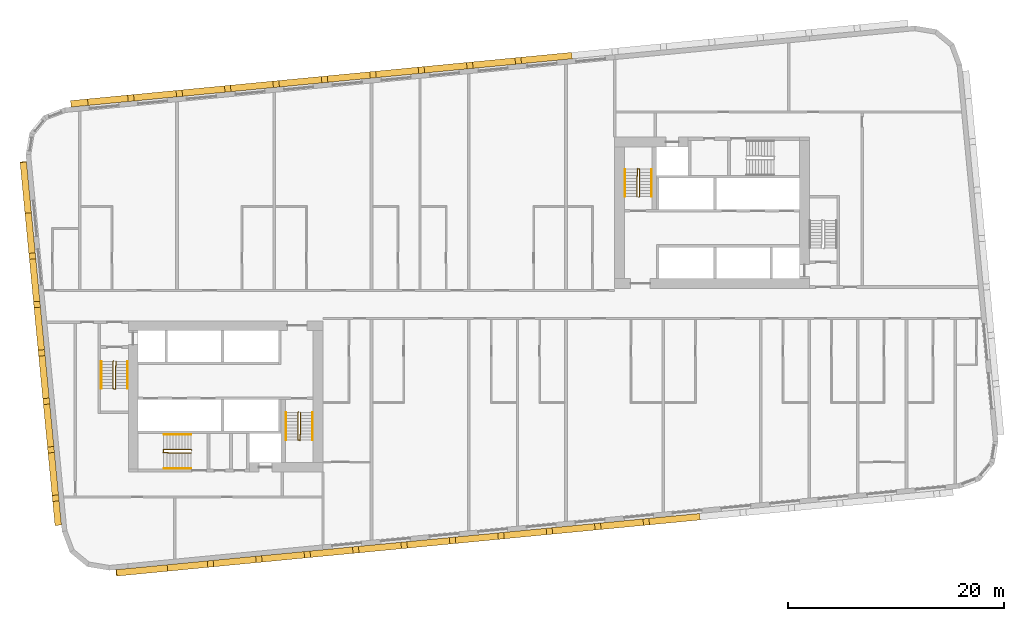
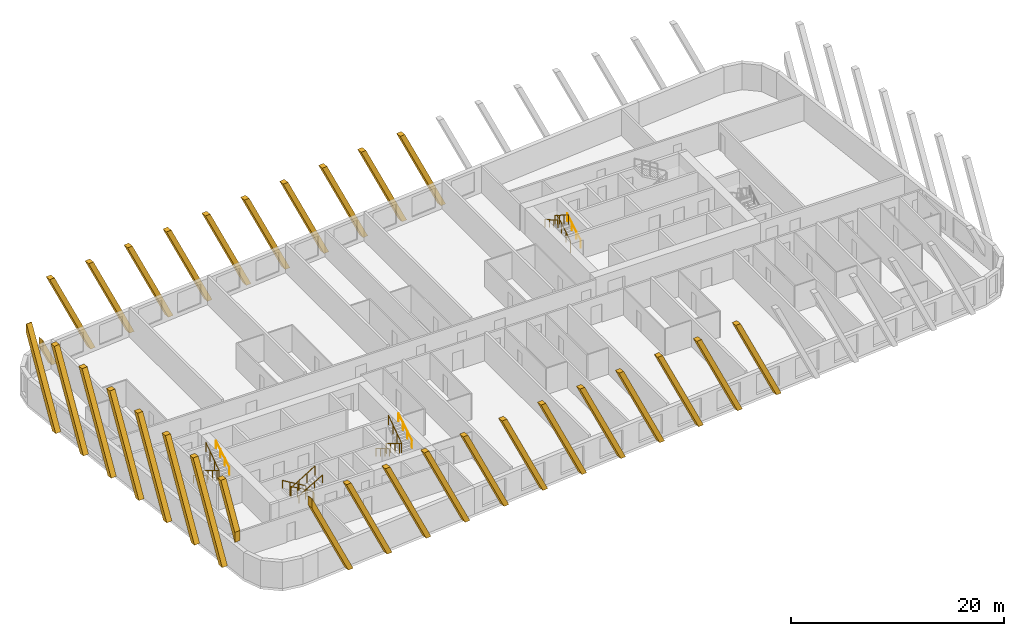
# One storey, part 12 of 13: 31 coverings, 12 railings.
"""IFC4 building model written with IfcOpenShell, lengths in metres."""

from ifc_helpers import new_model, si_unit, direction, frame, origin, origin_2d, place, context, subcontext, project, spatial, polyline, rectangle, circle, outline, extrude, material, material_profile, profile_set, type_object, element, save


model = new_model("IFC4")

# Units and contexts
model_context = context("Model", 3, precision=1e-05, world=origin(), true_north=direction((0.0, 1.0)))
body_context = subcontext(model_context, "Body", "Model", "MODEL_VIEW")
ifc_project = project(units=[si_unit("LENGTHUNIT", "METRE"), si_unit("AREAUNIT", "SQUARE_METRE"), si_unit("VOLUMEUNIT", "CUBIC_METRE"), si_unit("PLANEANGLEUNIT", "RADIAN"), si_unit("MASSUNIT", "GRAM", prefix="KILO")], contexts=[model_context])

# Site, building, storey
site_placement = place(None, origin())
site = spatial("IfcSite", under=ifc_project, at=site_placement, CompositionType="ELEMENT")
building_placement = place(site_placement, origin())
building = spatial("IfcBuilding", under=site, at=building_placement, Name="Kajstack Hotel Tower", CompositionType="ELEMENT")
storey_placement = place(building_placement, frame((0.0, 0.0, 130.60009765625)))
storey = spatial("IfcBuildingStorey", under=building, at=storey_placement, Name="L29", CompositionType="ELEMENT", Elevation=130.60009765625)

# Coverings
ifc_material_1 = material(Name="Terracotta", Category="masonry")
ifc_material_profile = material_profile(ifc_material_1, rectangle(XDim=0.60009765625, YDim=0.5, at=origin_2d()), Name="Terracotta-clad concrete baguette 500 x 600")
ifc_profile_set = profile_set([ifc_material_profile], Name="Terracotta")
covering_type = type_object("IfcCoveringType", Name="BAGUETTE 500x600", PredefinedType="CLADDING", material=ifc_profile_set)
covering_1_placement = place(storey_placement, frame((-40.91943359375, 13.2529296875, 0.0), z_axis=(-0.995381412265, -0.095999188106, 0.0), x_axis=(0.095999188106, -0.995381412265, 0.0)))
element("IfcCovering", 1, at=covering_1_placement, inside=storey, type_object=covering_type, Name="Baguette L29-00-002", PredefinedType="CLADDING", context=body_context, shape_type="SweptSolid", body=[
    extrude(outline(polyline([(0.054931640625, 9.89990234375), (0.0, 9.89990234375), (0.0, 8.853759765625), (4.222900390625, 0.0), (4.777099609375, 0.0), (0.054931640625, 9.89990234375)])), origin(), (0.0, 0.0, 1.0), 0.60009765625),
])
for number, where, z_axis, x_axis, name in (
    (2, (-40.5361328125, 9.270263671875, 0.0), (-0.995416482233, -0.095634862357, 0.0), (0.095634862357, -0.995416482233, 0.0), "Baguette L29-00-006"),
    (3, (-40.104736328125, 4.791015625, 0.0), (-0.995416482233, -0.095634862357, 0.0), (0.095634862357, -0.995416482233, 0.0), "Baguette L29-00-010"),
):
    element("IfcCovering", number, at=place(storey_placement, frame(where, z_axis=z_axis, x_axis=x_axis)), inside=storey, type_object=covering_type, Name=name, PredefinedType="CLADDING", context=body_context, shape_type="SweptSolid", body=[
        extrude(outline(polyline([(0.0, 9.89990234375), (4.72216796875, 0.0), (5.276123046875, 0.0), (0.553955078125, 9.89990234375), (0.0, 9.89990234375)])), origin(), (0.0, 0.0, 1.0), 0.599853515625),
    ])
covering_2_placement = place(storey_placement, frame((-39.67333984375, 0.311767578125, 0.0), z_axis=(-0.995381412265, -0.095999188106, 0.0), x_axis=(0.095999188106, -0.995381412265, 0.0)))
element("IfcCovering", 4, at=covering_2_placement, inside=storey, type_object=covering_type, Name="Baguette L29-00-014", PredefinedType="CLADDING", context=body_context, shape_type="SweptSolid", body=[
    extrude(outline(polyline([(0.0, 9.89990234375), (4.72216796875, 0.0), (5.276123046875, 0.0), (0.553955078125, 9.89990234375), (0.0, 9.89990234375)])), origin(), (0.0, 0.0, 1.0), 0.60009765625),
])
for number, where, z_axis, x_axis, name in (
    (5, (-39.2421875, -4.16748046875, 0.0), (-0.995377661201, -0.096038073607, 0.0), (0.096038073607, -0.995377661201, 0.0), "Baguette L29-00-018"),
    (6, (-38.810791015625, -8.646728515625, 0.0), (-0.995377661201, -0.096038073607, 0.0), (0.096038073607, -0.995377661201, 0.0), "Baguette L29-00-022"),
):
    element("IfcCovering", number, at=place(storey_placement, frame(where, z_axis=z_axis, x_axis=x_axis)), inside=storey, type_object=covering_type, Name=name, PredefinedType="CLADDING", context=body_context, shape_type="SweptSolid", body=[
        extrude(outline(polyline([(0.0, 9.89990234375), (4.72216796875, 0.0), (5.276123046875, 0.0), (0.553955078125, 9.89990234375), (0.0, 9.89990234375)])), origin(), (0.0, 0.0, 1.0), 0.599853515625),
    ])
covering_3_placement = place(storey_placement, frame((-38.37939453125, -13.126220703125, 0.0), z_axis=(-0.995420202011, -0.095596137095, 0.0), x_axis=(0.095596137095, -0.995420202011, 0.0)))
element("IfcCovering", 7, at=covering_3_placement, inside=storey, type_object=covering_type, Name="Baguette L29-00-026", PredefinedType="CLADDING", context=body_context, shape_type="SweptSolid", body=[
    extrude(outline(polyline([(0.0, 9.89990234375), (4.72216796875, 0.0), (5.276123046875, 0.0), (0.553955078125, 9.89990234375), (0.0, 9.89990234375)])), origin(), (0.0, 0.0, 1.0), 0.60009765625),
])
covering_4_placement = place(storey_placement, frame((-37.9482421875, -17.60546875, 0.0), z_axis=(-0.995416482233, -0.095634862357, 0.0), x_axis=(0.095634862357, -0.995416482233, 0.0)))
element("IfcCovering", 8, at=covering_4_placement, inside=storey, type_object=covering_type, Name="Baguette L29-00-030", PredefinedType="CLADDING", context=body_context, shape_type="SweptSolid", body=[
    extrude(outline(polyline([(0.0, 9.89990234375), (2.798828125, 4.031982421875), (2.798828125, 5.193359375), (0.553955078125, 9.89990234375), (0.0, 9.89990234375)])), origin(), (0.0, 0.0, 1.0), 0.599853515625),
])
covering_5_placement = place(storey_placement, frame((-32.66015625, -24.529296875, 0.0), z_axis=(0.095596137095, -0.995420202011, 0.0), x_axis=(0.995420202011, 0.095596137095, 0.0)))
element("IfcCovering", 9, at=covering_5_placement, inside=storey, type_object=covering_type, Name="Baguette L29-04-002", PredefinedType="CLADDING", context=body_context, shape_type="SweptSolid", body=[
    extrude(outline(polyline([(0.054931640625, 9.89990234375), (0.0, 9.89990234375), (0.0, 8.853759765625), (4.222900390625, 0.0), (4.777099609375, 0.0), (0.054931640625, 9.89990234375)])), origin(), (0.0, 0.0, 1.0), 0.60009765625),
])
for number, where, z_axis, x_axis, name in (
    (10, (-28.677734375, -24.14599609375, 0.0), (0.096038073607, -0.995377661201, 0.0), (0.995377661201, 0.096038073607, 0.0), "Baguette L29-04-006"),
    (11, (-24.198486328125, -23.714599609375, 0.0), (0.096038073607, -0.995377661201, 0.0), (0.995377661201, 0.096038073607, 0.0), "Baguette L29-04-010"),
):
    element("IfcCovering", number, at=place(storey_placement, frame(where, z_axis=z_axis, x_axis=x_axis)), inside=storey, type_object=covering_type, Name=name, PredefinedType="CLADDING", context=body_context, shape_type="SweptSolid", body=[
        extrude(outline(polyline([(0.0, 9.89990234375), (4.72216796875, 0.0), (5.276123046875, 0.0), (0.553955078125, 9.89990234375), (0.0, 9.89990234375)])), origin(), (0.0, 0.0, 1.0), 0.599853515625),
    ])
covering_6_placement = place(storey_placement, frame((-19.71923828125, -23.283203125, 0.0), z_axis=(0.095999188106, -0.995381412265, 0.0), x_axis=(0.995381412265, 0.095999188106, 0.0)))
element("IfcCovering", 12, at=covering_6_placement, inside=storey, type_object=covering_type, Name="Baguette L29-04-014", PredefinedType="CLADDING", context=body_context, shape_type="SweptSolid", body=[
    extrude(outline(polyline([(0.0, 9.89990234375), (4.72216796875, 0.0), (5.276123046875, 0.0), (0.553955078125, 9.89990234375), (0.0, 9.89990234375)])), origin(), (0.0, 0.0, 1.0), 0.60009765625),
])
for number, where, z_axis, x_axis, name in (
    (13, (-15.239990234375, -22.85205078125, 0.0), (0.096038073607, -0.995377661201, 0.0), (0.995377661201, 0.096038073607, 0.0), "Baguette L29-04-018"),
    (14, (-10.760498046875, -22.420654296875, 0.0), (0.095634862357, -0.995416482233, 0.0), (0.995416482233, 0.095634862357, 0.0), "Baguette L29-04-022"),
    (15, (-6.28125, -21.989501953125, 0.0), (0.095634862357, -0.995416482233, 0.0), (0.995416482233, 0.095634862357, 0.0), "Baguette L29-04-026"),
    (16, (-1.802001953125, -21.55810546875, 0.0), (0.095634862357, -0.995416482233, 0.0), (0.995416482233, 0.095634862357, 0.0), "Baguette L29-04-030"),
):
    element("IfcCovering", number, at=place(storey_placement, frame(where, z_axis=z_axis, x_axis=x_axis)), inside=storey, type_object=covering_type, Name=name, PredefinedType="CLADDING", context=body_context, shape_type="SweptSolid", body=[
        extrude(outline(polyline([(0.0, 9.89990234375), (4.72216796875, 0.0), (5.276123046875, 0.0), (0.553955078125, 9.89990234375), (0.0, 9.89990234375)])), origin(), (0.0, 0.0, 1.0), 0.599853515625),
    ])
covering_7_placement = place(storey_placement, frame((2.67724609375, -21.126708984375, 0.0), z_axis=(0.095999188106, -0.995381412265, 0.0), x_axis=(0.995381412265, 0.095999188106, 0.0)))
element("IfcCovering", 17, at=covering_7_placement, inside=storey, type_object=covering_type, Name="Baguette L29-04-034", PredefinedType="CLADDING", context=body_context, shape_type="SweptSolid", body=[
    extrude(outline(polyline([(0.0, 9.89990234375), (4.72216796875, 0.0), (5.276123046875, 0.0), (0.553955078125, 9.89990234375), (0.0, 9.89990234375)])), origin(), (0.0, 0.0, 1.0), 0.60009765625),
])
for number, where, z_axis, x_axis, name in (
    (18, (7.156494140625, -20.695556640625, 0.0), (0.096038073607, -0.995377661201, 0.0), (0.995377661201, 0.096038073607, 0.0), "Baguette L29-04-038"),
    (19, (11.6357421875, -20.26416015625, 0.0), (0.096038073607, -0.995377661201, 0.0), (0.995377661201, 0.096038073607, 0.0), "Baguette L29-04-042"),
):
    element("IfcCovering", number, at=place(storey_placement, frame(where, z_axis=z_axis, x_axis=x_axis)), inside=storey, type_object=covering_type, Name=name, PredefinedType="CLADDING", context=body_context, shape_type="SweptSolid", body=[
        extrude(outline(polyline([(0.0, 9.89990234375), (4.72216796875, 0.0), (5.276123046875, 0.0), (0.553955078125, 9.89990234375), (0.0, 9.89990234375)])), origin(), (0.0, 0.0, 1.0), 0.599853515625),
    ])
covering_8_placement = place(storey_placement, frame((16.114990234375, -19.832763671875, 0.0), z_axis=(0.095999188106, -0.995381412265, 0.0), x_axis=(0.995381412265, 0.095999188106, 0.0)))
element("IfcCovering", 20, at=covering_8_placement, inside=storey, type_object=covering_type, Name="Baguette L29-04-046", PredefinedType="CLADDING", context=body_context, shape_type="SweptSolid", body=[
    extrude(outline(polyline([(0.0, 9.89990234375), (4.72216796875, 0.0), (5.276123046875, 0.0), (0.553955078125, 9.89990234375), (0.0, 9.89990234375)])), origin(), (0.0, 0.0, 1.0), 0.60009765625),
])
covering_9_placement = place(storey_placement, frame((9.5810546875, 22.73681640625, 0.0), z_axis=(-0.096038073607, 0.995377661201, 0.0), x_axis=(-0.995377661201, -0.096038073607, 0.0)))
element("IfcCovering", 21, at=covering_9_placement, inside=storey, type_object=covering_type, Name="Baguette L29-12-030", PredefinedType="CLADDING", context=body_context, shape_type="SweptSolid", body=[
    extrude(outline(polyline([(4.72216796875, 9.89990234375), (0.0, 0.0), (0.553955078125, 0.0), (5.276123046875, 9.89990234375), (4.72216796875, 9.89990234375)])), origin(), (0.0, 0.0, 1.0), 0.599853515625),
])
covering_10_placement = place(storey_placement, frame((5.101806640625, 22.305419921875, 0.0), z_axis=(-0.095999188106, 0.995381412265, 0.0), x_axis=(-0.995381412265, -0.095999188106, 0.0)))
element("IfcCovering", 22, at=covering_10_placement, inside=storey, type_object=covering_type, Name="Baguette L29-12-034", PredefinedType="CLADDING", context=body_context, shape_type="SweptSolid", body=[
    extrude(outline(polyline([(4.72216796875, 9.89990234375), (0.0, 0.0), (0.553955078125, 0.0), (5.276123046875, 9.89990234375), (4.72216796875, 9.89990234375)])), origin(), (0.0, 0.0, 1.0), 0.60009765625),
])
for number, where, z_axis, x_axis, name in (
    (23, (0.622314453125, 21.874267578125, 0.0), (-0.095634862357, 0.995416482233, 0.0), (-0.995416482233, -0.095634862357, 0.0), "Baguette L29-12-038"),
    (24, (-3.85693359375, 21.44287109375, 0.0), (-0.095634862357, 0.995416482233, 0.0), (-0.995416482233, -0.095634862357, 0.0), "Baguette L29-12-042"),
):
    element("IfcCovering", number, at=place(storey_placement, frame(where, z_axis=z_axis, x_axis=x_axis)), inside=storey, type_object=covering_type, Name=name, PredefinedType="CLADDING", context=body_context, shape_type="SweptSolid", body=[
        extrude(outline(polyline([(4.72216796875, 9.89990234375), (0.0, 0.0), (0.553955078125, 0.0), (5.276123046875, 9.89990234375), (4.72216796875, 9.89990234375)])), origin(), (0.0, 0.0, 1.0), 0.599853515625),
    ])
covering_11_placement = place(storey_placement, frame((-8.336181640625, 21.011474609375, 0.0), z_axis=(-0.095596137095, 0.995420202011, 0.0), x_axis=(-0.995420202011, -0.095596137095, 0.0)))
element("IfcCovering", 25, at=covering_11_placement, inside=storey, type_object=covering_type, Name="Baguette L29-12-046", PredefinedType="CLADDING", context=body_context, shape_type="SweptSolid", body=[
    extrude(outline(polyline([(4.72216796875, 9.89990234375), (0.0, 0.0), (0.553955078125, 0.0), (5.276123046875, 9.89990234375), (4.72216796875, 9.89990234375)])), origin(), (0.0, 0.0, 1.0), 0.60009765625),
])
for number, where, z_axis, x_axis, name in (
    (26, (-12.8154296875, 20.580322265625, 0.0), (-0.096038073607, 0.995377661201, 0.0), (-0.995377661201, -0.096038073607, 0.0), "Baguette L29-12-050"),
    (27, (-17.294677734375, 20.14892578125, 0.0), (-0.096038073607, 0.995377661201, 0.0), (-0.995377661201, -0.096038073607, 0.0), "Baguette L29-12-054"),
    (28, (-21.77392578125, 19.7177734375, 0.0), (-0.096038073607, 0.995377661201, 0.0), (-0.995377661201, -0.096038073607, 0.0), "Baguette L29-12-058"),
    (29, (-26.253173828125, 19.286376953125, 0.0), (-0.096038073607, 0.995377661201, 0.0), (-0.995377661201, -0.096038073607, 0.0), "Baguette L29-12-062"),
):
    element("IfcCovering", number, at=place(storey_placement, frame(where, z_axis=z_axis, x_axis=x_axis)), inside=storey, type_object=covering_type, Name=name, PredefinedType="CLADDING", context=body_context, shape_type="SweptSolid", body=[
        extrude(outline(polyline([(4.72216796875, 9.89990234375), (0.0, 0.0), (0.553955078125, 0.0), (5.276123046875, 9.89990234375), (4.72216796875, 9.89990234375)])), origin(), (0.0, 0.0, 1.0), 0.599853515625),
    ])
covering_12_placement = place(storey_placement, frame((-30.732666015625, 18.85498046875, 0.0), z_axis=(-0.095596137095, 0.995420202011, 0.0), x_axis=(-0.995420202011, -0.095596137095, 0.0)))
element("IfcCovering", 30, at=covering_12_placement, inside=storey, type_object=covering_type, Name="Baguette L29-12-066", PredefinedType="CLADDING", context=body_context, shape_type="SweptSolid", body=[
    extrude(outline(polyline([(4.72216796875, 9.89990234375), (0.0, 0.0), (0.553955078125, 0.0), (5.276123046875, 9.89990234375), (4.72216796875, 9.89990234375)])), origin(), (0.0, 0.0, 1.0), 0.60009765625),
])
covering_13_placement = place(storey_placement, frame((-35.2119140625, 18.423828125, 0.0), z_axis=(-0.095634862357, 0.995416482233, 0.0), x_axis=(-0.995416482233, -0.095634862357, 0.0)))
element("IfcCovering", 31, at=covering_13_placement, inside=storey, type_object=covering_type, Name="Baguette L29-12-070", PredefinedType="CLADDING", context=body_context, shape_type="SweptSolid", body=[
    extrude(outline(polyline([(0.553955078125, 0.0), (1.576904296875, 2.144775390625), (1.576904296875, 3.30615234375), (0.0, 0.0), (0.553955078125, 0.0)])), origin(), (0.0, 0.0, 1.0), 0.599853515625),
])

# Railings
ifc_material_2 = material(Name="Steel S355J2", Category="steel")
railing_type_1 = type_object("IfcRailingType", Name="Stair guard 1100", PredefinedType="GUARDRAIL", material=ifc_material_2)
railing_1_placement = place(storey_placement, frame((-32.85009765625, -5.199951171875, 0.0)))
element("IfcRailing", 32, at=railing_1_placement, inside=storey, type_object=railing_type_1, Name="L29 W1 stair guard 1", PredefinedType="GUARDRAIL", context=body_context, shape_type="SweptSolid", body=[
    extrude(circle(Radius=0.02392578125, at=origin_2d()), frame((0.0, 0.0, 1.076171875), z_axis=(-0.277797701265, -0.279159454702, 0.919183570361), x_axis=(0.708833529934, -0.705375805398, 0.0)), (0.0, 0.0, 1.0), 0.17919921875),
    extrude(circle(Radius=0.02392578125, at=origin_2d()), frame((-0.0498046875, -0.050048828125, 1.24072265625), z_axis=(0.0, -0.86152411907, 0.507716645641), x_axis=(1.0, 0.0, 0.0)), (0.0, 0.0, 1.0), 2.925048828125),
    extrude(circle(Radius=0.02392578125, at=origin_2d()), frame((-0.0498046875, -2.570068359375, 2.72607421875), z_axis=(0.970072785993, -0.242814311512, 0.0), x_axis=(0.242814311512, 0.970072785993, 0.0)), (0.0, 0.0, 1.0), 0.2060546875),
    extrude(circle(Radius=0.02392578125, at=origin_2d()), frame((0.150146484375, -2.6201171875, 2.72607421875), z_axis=(0.016385308676, 0.841405582595, 0.540155687962), x_axis=(-0.999810440751, 0.019470042781, 0.0)), (0.0, 0.0, 1.0), 3.054443359375),
    extrude(circle(Radius=0.02099609375, at=origin_2d()), origin(), (0.0, 0.0, 1.0), 1.052001953125),
    extrude(circle(Radius=0.02099609375, at=origin_2d()), frame((-0.0498046875, -0.050048828125, 0.164794921875)), (0.0, 0.0, 1.0), 1.052001953125),
    extrude(circle(Radius=0.02099609375, at=origin_2d()), frame((-0.0498046875, -0.89013671875, 0.659912109375)), (0.0, 0.0, 1.0), 1.052001953125),
    extrude(circle(Radius=0.02099609375, at=origin_2d()), frame((-0.0498046875, -1.72998046875, 1.15478515625)), (0.0, 0.0, 1.0), 1.052001953125),
    extrude(circle(Radius=0.02099609375, at=origin_2d()), frame((-0.0498046875, -2.570068359375, 1.64990234375)), (0.0, 0.0, 1.0), 1.052001953125),
    extrude(circle(Radius=0.02099609375, at=origin_2d()), frame((0.150146484375, -2.6201171875, 1.64990234375)), (0.0, 0.0, 1.0), 1.052001953125),
    extrude(circle(Radius=0.02099609375, at=origin_2d()), frame((0.166748046875, -1.763427734375, 2.199951171875)), (0.0, 0.0, 1.0), 1.052001953125),
    extrude(circle(Radius=0.02099609375, at=origin_2d()), frame((0.18359375, -0.90673828125, 2.749755859375)), (0.0, 0.0, 1.0), 1.052001953125),
    extrude(circle(Radius=0.02099609375, at=origin_2d()), frame((0.2001953125, -0.050048828125, 3.2998046875)), (0.0, 0.0, 1.0), 1.052001953125),
])
railing_2_placement = place(storey_placement, frame((-15.75, -9.949951171875, 0.0)))
element("IfcRailing", 33, at=railing_2_placement, inside=storey, type_object=railing_type_1, Name="L29 W2 stair guard 1", PredefinedType="GUARDRAIL", context=body_context, shape_type="SweptSolid", body=[
    extrude(circle(Radius=0.02392578125, at=origin_2d()), frame((0.0, 0.0, 1.076171875), z_axis=(-0.279053652268, -0.279053652268, 0.918835196492), x_axis=(0.707106781187, -0.707106781187, 0.0)), (0.0, 0.0, 1.0), 0.179443359375),
    extrude(circle(Radius=0.02392578125, at=origin_2d()), frame((-0.050048828125, -0.050048828125, 1.24072265625), z_axis=(0.0, -0.86152411907, 0.507716645641), x_axis=(1.0, 0.0, 0.0)), (0.0, 0.0, 1.0), 2.925048828125),
    extrude(circle(Radius=0.02392578125, at=origin_2d()), frame((-0.050048828125, -2.570068359375, 2.72607421875), z_axis=(0.970072785993, -0.242814311512, 0.0), x_axis=(0.242814311512, 0.970072785993, 0.0)), (0.0, 0.0, 1.0), 0.2060546875),
    extrude(circle(Radius=0.02392578125, at=origin_2d()), frame((0.14990234375, -2.6201171875, 2.72607421875), z_axis=(0.016385308676, 0.841405582595, 0.540155687962), x_axis=(-0.999810440751, 0.019470042781, 0.0)), (0.0, 0.0, 1.0), 3.054443359375),
    extrude(circle(Radius=0.02099609375, at=origin_2d()), origin(), (0.0, 0.0, 1.0), 1.052001953125),
    extrude(circle(Radius=0.02099609375, at=origin_2d()), frame((-0.050048828125, -0.050048828125, 0.164794921875)), (0.0, 0.0, 1.0), 1.052001953125),
    extrude(circle(Radius=0.02099609375, at=origin_2d()), frame((-0.050048828125, -0.89013671875, 0.659912109375)), (0.0, 0.0, 1.0), 1.052001953125),
    extrude(circle(Radius=0.02099609375, at=origin_2d()), frame((-0.050048828125, -1.72998046875, 1.15478515625)), (0.0, 0.0, 1.0), 1.052001953125),
    extrude(circle(Radius=0.02099609375, at=origin_2d()), frame((-0.050048828125, -2.570068359375, 1.64990234375)), (0.0, 0.0, 1.0), 1.052001953125),
    extrude(circle(Radius=0.02099609375, at=origin_2d()), frame((0.14990234375, -2.6201171875, 1.64990234375)), (0.0, 0.0, 1.0), 1.052001953125),
    extrude(circle(Radius=0.02099609375, at=origin_2d()), frame((0.16650390625, -1.763427734375, 2.199951171875)), (0.0, 0.0, 1.0), 1.052001953125),
    extrude(circle(Radius=0.02099609375, at=origin_2d()), frame((0.183349609375, -0.90673828125, 2.749755859375)), (0.0, 0.0, 1.0), 1.052001953125),
    extrude(circle(Radius=0.02099609375, at=origin_2d()), frame((0.199951171875, -0.050048828125, 3.2998046875)), (0.0, 0.0, 1.0), 1.052001953125),
])
railing_3_placement = place(storey_placement, frame((-25.64990234375, -13.449951171875, 0.0)))
element("IfcRailing", 34, at=railing_3_placement, inside=storey, type_object=railing_type_1, Name="L29 W3 stair guard 1", PredefinedType="GUARDRAIL", context=body_context, shape_type="SweptSolid", body=[
    extrude(circle(Radius=0.02392578125, at=origin_2d()), frame((0.0, 0.0, 1.076171875), z_axis=(-0.279053652268, 0.279053652268, 0.918835196492), x_axis=(-0.707106781187, -0.707106781187, 0.0)), (0.0, 0.0, 1.0), 0.179443359375),
    extrude(circle(Radius=0.02392578125, at=origin_2d()), frame((-0.050048828125, 0.050048828125, 1.24072265625), z_axis=(-0.86152411907, 0.0, 0.507716645641), x_axis=(0.0, -1.0, 0.0)), (0.0, 0.0, 1.0), 2.925048828125),
    extrude(circle(Radius=0.02392578125, at=origin_2d()), frame((-2.570068359375, 0.050048828125, 2.72607421875), z_axis=(-0.164529134168, -0.986372223864, 0.0), x_axis=(0.986372223864, -0.164529134168, 0.0)), (0.0, 0.0, 1.0), 0.30419921875),
    extrude(circle(Radius=0.02392578125, at=origin_2d()), frame((-2.6201171875, -0.25, 2.72607421875), z_axis=(0.841405582595, -0.016385308676, 0.540155687962), x_axis=(0.019470042781, 0.999810440751, 0.0)), (0.0, 0.0, 1.0), 3.054443359375),
    extrude(circle(Radius=0.02099609375, at=origin_2d()), origin(), (0.0, 0.0, 1.0), 1.052001953125),
    extrude(circle(Radius=0.02099609375, at=origin_2d()), frame((-0.050048828125, 0.050048828125, 0.164794921875)), (0.0, 0.0, 1.0), 1.052001953125),
    extrude(circle(Radius=0.02099609375, at=origin_2d()), frame((-0.89013671875, 0.050048828125, 0.659912109375)), (0.0, 0.0, 1.0), 1.052001953125),
    extrude(circle(Radius=0.02099609375, at=origin_2d()), frame((-1.72998046875, 0.050048828125, 1.15478515625)), (0.0, 0.0, 1.0), 1.052001953125),
    extrude(circle(Radius=0.02099609375, at=origin_2d()), frame((-2.570068359375, 0.050048828125, 1.64990234375)), (0.0, 0.0, 1.0), 1.052001953125),
    extrude(circle(Radius=0.02099609375, at=origin_2d()), frame((-2.6201171875, -0.25, 1.64990234375)), (0.0, 0.0, 1.0), 1.052001953125),
    extrude(circle(Radius=0.02099609375, at=origin_2d()), frame((-1.763427734375, -0.2666015625, 2.199951171875)), (0.0, 0.0, 1.0), 1.052001953125),
    extrude(circle(Radius=0.02099609375, at=origin_2d()), frame((-0.90673828125, -0.283447265625, 2.749755859375)), (0.0, 0.0, 1.0), 1.052001953125),
    extrude(circle(Radius=0.02099609375, at=origin_2d()), frame((-0.050048828125, -0.300048828125, 3.2998046875)), (0.0, 0.0, 1.0), 1.052001953125),
])
railing_4_placement = place(storey_placement, frame((15.75, 9.949951171875, 0.0)))
element("IfcRailing", 35, at=railing_4_placement, inside=storey, type_object=railing_type_1, Name="L29 E2 stair guard 1", PredefinedType="GUARDRAIL", context=body_context, shape_type="SweptSolid", body=[
    extrude(circle(Radius=0.02392578125, at=origin_2d()), frame((0.0, 0.0, 1.076171875), z_axis=(0.279053652268, 0.279053652268, 0.918835196492), x_axis=(-0.707106781187, 0.707106781187, 0.0)), (0.0, 0.0, 1.0), 0.179443359375),
    extrude(circle(Radius=0.02392578125, at=origin_2d()), frame((0.050048828125, 0.050048828125, 1.24072265625), z_axis=(0.0, 0.86152411907, 0.507716645641), x_axis=(-1.0, 0.0, 0.0)), (0.0, 0.0, 1.0), 2.925048828125),
    extrude(circle(Radius=0.02392578125, at=origin_2d()), frame((0.050048828125, 2.570068359375, 2.72607421875), z_axis=(-0.970072785993, 0.242814311512, 0.0), x_axis=(-0.242814311512, -0.970072785993, 0.0)), (0.0, 0.0, 1.0), 0.2060546875),
    extrude(circle(Radius=0.02392578125, at=origin_2d()), frame((-0.14990234375, 2.6201171875, 2.72607421875), z_axis=(-0.016385308676, -0.841405582595, 0.540155687962), x_axis=(0.999810440751, -0.019470042781, 0.0)), (0.0, 0.0, 1.0), 3.054443359375),
    extrude(circle(Radius=0.02099609375, at=origin_2d()), origin(), (0.0, 0.0, 1.0), 1.052001953125),
    extrude(circle(Radius=0.02099609375, at=origin_2d()), frame((0.050048828125, 0.050048828125, 0.164794921875)), (0.0, 0.0, 1.0), 1.052001953125),
    extrude(circle(Radius=0.02099609375, at=origin_2d()), frame((0.050048828125, 0.89013671875, 0.659912109375)), (0.0, 0.0, 1.0), 1.052001953125),
    extrude(circle(Radius=0.02099609375, at=origin_2d()), frame((0.050048828125, 1.72998046875, 1.15478515625)), (0.0, 0.0, 1.0), 1.052001953125),
    extrude(circle(Radius=0.02099609375, at=origin_2d()), frame((0.050048828125, 2.570068359375, 1.64990234375)), (0.0, 0.0, 1.0), 1.052001953125),
    extrude(circle(Radius=0.02099609375, at=origin_2d()), frame((-0.14990234375, 2.6201171875, 1.64990234375)), (0.0, 0.0, 1.0), 1.052001953125),
    extrude(circle(Radius=0.02099609375, at=origin_2d()), frame((-0.16650390625, 1.763427734375, 2.199951171875)), (0.0, 0.0, 1.0), 1.052001953125),
    extrude(circle(Radius=0.02099609375, at=origin_2d()), frame((-0.183349609375, 0.90673828125, 2.749755859375)), (0.0, 0.0, 1.0), 1.052001953125),
    extrude(circle(Radius=0.02099609375, at=origin_2d()), frame((-0.199951171875, 0.050048828125, 3.2998046875)), (0.0, 0.0, 1.0), 1.052001953125),
])
railing_type_2 = type_object("IfcRailingType", Name="Stair handrail 900", PredefinedType="HANDRAIL", material=ifc_material_2)
railing_5_placement = place(storey_placement, frame((-34.0, -5.25, 0.164794921875)))
element("IfcRailing", 36, at=railing_5_placement, inside=storey, type_object=railing_type_2, Name="L29 W1 stair handrail 1", PredefinedType="HANDRAIL", context=body_context, shape_type="SweptSolid", body=[
    extrude(circle(Radius=0.02392578125, at=origin_2d()), frame((0.0, 0.0, 0.8759765625), z_axis=(0.0, -0.86152411907, 0.507716645641), x_axis=(1.0, 0.0, 0.0)), (0.0, 0.0, 1.0), 2.925048828125),
    extrude(circle(Radius=0.02099609375, at=origin_2d()), origin(), (0.0, 0.0, 1.0), 0.851806640625),
    extrude(circle(Radius=0.02099609375, at=origin_2d()), frame((0.0, -0.840087890625, 0.4951171875)), (0.0, 0.0, 1.0), 0.851806640625),
    extrude(circle(Radius=0.02099609375, at=origin_2d()), frame((0.0, -1.679931640625, 0.989990234375)), (0.0, 0.0, 1.0), 0.851806640625),
    extrude(circle(Radius=0.02099609375, at=origin_2d()), frame((0.0, -2.52001953125, 1.485107421875)), (0.0, 0.0, 1.0), 0.851806640625),
])
railing_6_placement = place(storey_placement, frame((-31.550048828125, -7.77001953125, 1.81494140625)))
element("IfcRailing", 37, at=railing_6_placement, inside=storey, type_object=railing_type_2, Name="L29 W1 stair handrail 2", PredefinedType="HANDRAIL", context=body_context, shape_type="SweptSolid", body=[
    extrude(circle(Radius=0.02392578125, at=origin_2d()), frame((0.0, 0.0, 0.8759765625), z_axis=(0.0, 0.861560626758, 0.507654692109), x_axis=(-1.0, 0.0, 0.0)), (0.0, 0.0, 1.0), 2.925048828125),
    extrude(circle(Radius=0.02099609375, at=origin_2d()), origin(), (0.0, 0.0, 1.0), 0.851806640625),
    extrude(circle(Radius=0.02099609375, at=origin_2d()), frame((0.0, 0.840087890625, 0.494873046875)), (0.0, 0.0, 1.0), 0.851806640625),
    extrude(circle(Radius=0.02099609375, at=origin_2d()), frame((0.0, 1.679931640625, 0.989990234375)), (0.0, 0.0, 1.0), 0.851806640625),
    extrude(circle(Radius=0.02099609375, at=origin_2d()), frame((0.0, 2.52001953125, 1.48486328125)), (0.0, 0.0, 1.0), 0.851806640625),
])
railing_7_placement = place(storey_placement, frame((-16.89990234375, -10.0, 0.164794921875)))
element("IfcRailing", 38, at=railing_7_placement, inside=storey, type_object=railing_type_2, Name="L29 W2 stair handrail 1", PredefinedType="HANDRAIL", context=body_context, shape_type="SweptSolid", body=[
    extrude(circle(Radius=0.02392578125, at=origin_2d()), frame((0.0, 0.0, 0.8759765625), z_axis=(0.0, -0.86152411907, 0.507716645641), x_axis=(1.0, 0.0, 0.0)), (0.0, 0.0, 1.0), 2.925048828125),
    extrude(circle(Radius=0.02099609375, at=origin_2d()), origin(), (0.0, 0.0, 1.0), 0.851806640625),
    extrude(circle(Radius=0.02099609375, at=origin_2d()), frame((0.0, -0.840087890625, 0.4951171875)), (0.0, 0.0, 1.0), 0.851806640625),
    extrude(circle(Radius=0.02099609375, at=origin_2d()), frame((0.0, -1.679931640625, 0.989990234375)), (0.0, 0.0, 1.0), 0.851806640625),
    extrude(circle(Radius=0.02099609375, at=origin_2d()), frame((0.0, -2.52001953125, 1.485107421875)), (0.0, 0.0, 1.0), 0.851806640625),
])
railing_8_placement = place(storey_placement, frame((-14.449951171875, -12.52001953125, 1.81494140625)))
element("IfcRailing", 39, at=railing_8_placement, inside=storey, type_object=railing_type_2, Name="L29 W2 stair handrail 2", PredefinedType="HANDRAIL", context=body_context, shape_type="SweptSolid", body=[
    extrude(circle(Radius=0.02392578125, at=origin_2d()), frame((0.0, 0.0, 0.8759765625), z_axis=(0.0, 0.861560626758, 0.507654692109), x_axis=(-1.0, 0.0, 0.0)), (0.0, 0.0, 1.0), 2.925048828125),
    extrude(circle(Radius=0.02099609375, at=origin_2d()), origin(), (0.0, 0.0, 1.0), 0.851806640625),
    extrude(circle(Radius=0.02099609375, at=origin_2d()), frame((0.0, 0.840087890625, 0.494873046875)), (0.0, 0.0, 1.0), 0.851806640625),
    extrude(circle(Radius=0.02099609375, at=origin_2d()), frame((0.0, 1.679931640625, 0.989990234375)), (0.0, 0.0, 1.0), 0.851806640625),
    extrude(circle(Radius=0.02099609375, at=origin_2d()), frame((0.0, 2.52001953125, 1.48486328125)), (0.0, 0.0, 1.0), 0.851806640625),
])
railing_9_placement = place(storey_placement, frame((-25.699951171875, -12.0, 0.164794921875)))
element("IfcRailing", 40, at=railing_9_placement, inside=storey, type_object=railing_type_2, Name="L29 W3 stair handrail 1", PredefinedType="HANDRAIL", context=body_context, shape_type="SweptSolid", body=[
    extrude(circle(Radius=0.02392578125, at=origin_2d()), frame((0.0, 0.0, 0.8759765625), z_axis=(-0.86152411907, 0.0, 0.507716645641), x_axis=(0.0, -1.0, 0.0)), (0.0, 0.0, 1.0), 2.925048828125),
    extrude(circle(Radius=0.02099609375, at=origin_2d()), origin(), (0.0, 0.0, 1.0), 0.851806640625),
    extrude(circle(Radius=0.02099609375, at=origin_2d()), frame((-0.840087890625, 0.0, 0.4951171875)), (0.0, 0.0, 1.0), 0.851806640625),
    extrude(circle(Radius=0.02099609375, at=origin_2d()), frame((-1.679931640625, 0.0, 0.989990234375)), (0.0, 0.0, 1.0), 0.851806640625),
    extrude(circle(Radius=0.02099609375, at=origin_2d()), frame((-2.52001953125, 0.0, 1.485107421875)), (0.0, 0.0, 1.0), 0.851806640625),
])
railing_10_placement = place(storey_placement, frame((-28.219970703125, -15.14990234375, 1.81494140625)))
element("IfcRailing", 41, at=railing_10_placement, inside=storey, type_object=railing_type_2, Name="L29 W3 stair handrail 2", PredefinedType="HANDRAIL", context=body_context, shape_type="SweptSolid", body=[
    extrude(circle(Radius=0.02392578125, at=origin_2d()), frame((0.0, 0.0, 0.8759765625), z_axis=(0.861560626758, 0.0, 0.507654692109), x_axis=(0.0, 1.0, 0.0)), (0.0, 0.0, 1.0), 2.925048828125),
    extrude(circle(Radius=0.02099609375, at=origin_2d()), origin(), (0.0, 0.0, 1.0), 0.851806640625),
    extrude(circle(Radius=0.02099609375, at=origin_2d()), frame((0.840087890625, 0.0, 0.494873046875)), (0.0, 0.0, 1.0), 0.851806640625),
    extrude(circle(Radius=0.02099609375, at=origin_2d()), frame((1.679931640625, 0.0, 0.989990234375)), (0.0, 0.0, 1.0), 0.851806640625),
    extrude(circle(Radius=0.02099609375, at=origin_2d()), frame((2.52001953125, 0.0, 1.48486328125)), (0.0, 0.0, 1.0), 0.851806640625),
])
railing_11_placement = place(storey_placement, frame((16.89990234375, 10.0, 0.164794921875)))
element("IfcRailing", 42, at=railing_11_placement, inside=storey, type_object=railing_type_2, Name="L29 E2 stair handrail 1", PredefinedType="HANDRAIL", context=body_context, shape_type="SweptSolid", body=[
    extrude(circle(Radius=0.02392578125, at=origin_2d()), frame((0.0, 0.0, 0.8759765625), z_axis=(0.0, 0.86152411907, 0.507716645641), x_axis=(-1.0, 0.0, 0.0)), (0.0, 0.0, 1.0), 2.925048828125),
    extrude(circle(Radius=0.02099609375, at=origin_2d()), origin(), (0.0, 0.0, 1.0), 0.851806640625),
    extrude(circle(Radius=0.02099609375, at=origin_2d()), frame((0.0, 0.840087890625, 0.4951171875)), (0.0, 0.0, 1.0), 0.851806640625),
    extrude(circle(Radius=0.02099609375, at=origin_2d()), frame((0.0, 1.679931640625, 0.989990234375)), (0.0, 0.0, 1.0), 0.851806640625),
    extrude(circle(Radius=0.02099609375, at=origin_2d()), frame((0.0, 2.52001953125, 1.485107421875)), (0.0, 0.0, 1.0), 0.851806640625),
])
railing_12_placement = place(storey_placement, frame((14.449951171875, 12.52001953125, 1.81494140625)))
element("IfcRailing", 43, at=railing_12_placement, inside=storey, type_object=railing_type_2, Name="L29 E2 stair handrail 2", PredefinedType="HANDRAIL", context=body_context, shape_type="SweptSolid", body=[
    extrude(circle(Radius=0.02392578125, at=origin_2d()), frame((0.0, 0.0, 0.8759765625), z_axis=(0.0, -0.861560626758, 0.507654692109), x_axis=(1.0, 0.0, 0.0)), (0.0, 0.0, 1.0), 2.925048828125),
    extrude(circle(Radius=0.02099609375, at=origin_2d()), origin(), (0.0, 0.0, 1.0), 0.851806640625),
    extrude(circle(Radius=0.02099609375, at=origin_2d()), frame((0.0, -0.840087890625, 0.494873046875)), (0.0, 0.0, 1.0), 0.851806640625),
    extrude(circle(Radius=0.02099609375, at=origin_2d()), frame((0.0, -1.679931640625, 0.989990234375)), (0.0, 0.0, 1.0), 0.851806640625),
    extrude(circle(Radius=0.02099609375, at=origin_2d()), frame((0.0, -2.52001953125, 1.48486328125)), (0.0, 0.0, 1.0), 0.851806640625),
])

save(model, "model.ifc")
